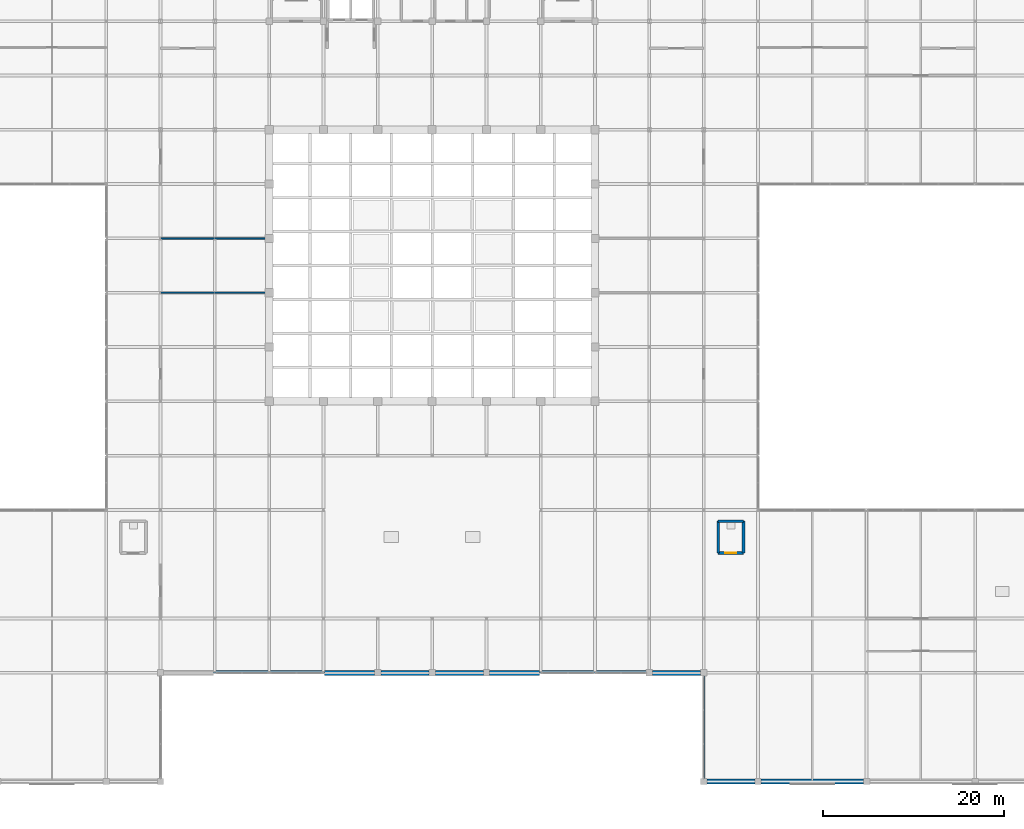
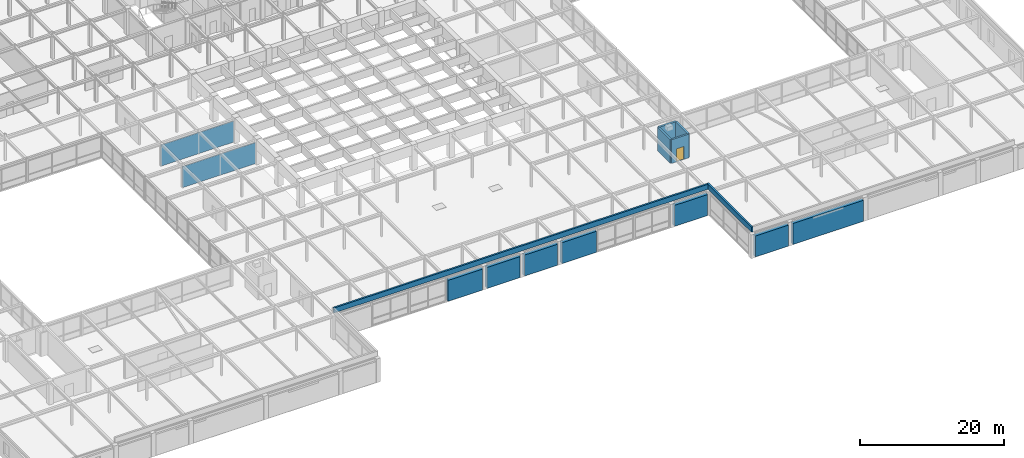
# One storey, part 102 of 111: 15 walls, 1 door, 1 opening.
"""IFC4 building model written with IfcOpenShell, lengths in metres."""

from ifc_helpers import new_model, si_unit, direction, frame, frame_2d, origin, place, context, subcontext, project, spatial, rectangle, extrude, material, layer, layer_set, type_object, element, fill, save


model = new_model("IFC4")

# Units and contexts
model_context = context("Model", 3, precision=1e-05, world=origin(), true_north=direction((0.0, 1.0)))
body_context = subcontext(model_context, "Body", "Model", "MODEL_VIEW")
ifc_project = project(units=[si_unit("LENGTHUNIT", "METRE"), si_unit("AREAUNIT", "SQUARE_METRE"), si_unit("VOLUMEUNIT", "CUBIC_METRE"), si_unit("PLANEANGLEUNIT", "RADIAN"), si_unit("MASSUNIT", "GRAM", prefix="KILO")], contexts=[model_context])

# Site, building, storey
site_placement = place(None, origin())
site = spatial("IfcSite", under=ifc_project, at=site_placement, CompositionType="ELEMENT")
building_placement = place(site_placement, origin())
building = spatial("IfcBuilding", under=site, at=building_placement, Name="Zlatovratsky Civic Hall", CompositionType="ELEMENT")
storey_placement = place(building_placement, frame((0.0, 0.0, 16.5)))
storey = spatial("IfcBuildingStorey", under=building, at=storey_placement, Name="L04", CompositionType="ELEMENT", Elevation=16.5)

# Walls
ifc_material_1 = material(Name="Fire-rated gypsum board framing", Category="gypsum")
ifc_layer_1 = layer(ifc_material_1, 0.139892578125)
ifc_layer_set_1 = layer_set([ifc_layer_1], Name="Fire-rated gypsum board framing")
wall_type_1 = type_object("IfcWallType", Name="Wall_OfficePartition_140", PredefinedType="PARTITIONING", material=ifc_layer_set_1)
for number, where, z_axis, x_axis, name in (
    (1, (54.0, 54.0, 0.0), (0.0, 0.0, 1.0), (1.0, 0.0, 0.0), "WL-6244"),
    (2, (54.0, 60.0, 0.0), (0.0, 0.0, 1.0), (1.0, 0.0, 0.0), "WL-6245"),
):
    element("IfcWall", number, at=place(storey_placement, frame(where, z_axis=z_axis, x_axis=x_axis)), inside=storey, type_object=wall_type_1, Name=name, PredefinedType="PARTITIONING", context=body_context, shape_type="SweptSolid", body=[
        extrude(rectangle(XDim=11.659912109375, YDim=0.139892578125, at=frame_2d((5.830078125, 0.0))), origin(), (0.0, 0.0, 1.0), 3.56005859375),
    ])
ifc_material_2 = material(Name="Acoustic ceramic blockwork", Category="masonry")
ifc_layer_2 = layer(ifc_material_2, 0.39990234375, Name="Backing")
ifc_material_3 = material(Name="Polished Karelian granite ashlar", Category="masonry")
ifc_layer_3 = layer(ifc_material_3, 0.139892578125, Name="Finish")
ifc_layer_set_2 = layer_set([ifc_layer_2, ifc_layer_3], Name="Acoustic ceramic blockwork")
wall_type_2 = type_object("IfcWallType", Name="Wall_PodiumGraniteArcade_540", PredefinedType="SOLIDWALL", material=ifc_layer_set_2)
wall_1_placement = place(storey_placement, frame((114.35009765625, 0.0, 0.0), z_axis=(0.0, 0.0, 1.0), x_axis=(1.0, 0.0, 0.0)))
element("IfcWall", 3, at=wall_1_placement, inside=storey, type_object=wall_type_2, Name="WL-0321", PredefinedType="SOLIDWALL", context=body_context, shape_type="SweptSolid", body=[
    extrude(rectangle(XDim=5.2998046875, YDim=0.5400390625, at=frame_2d((2.64990234375, 0.0))), origin(), (0.0, 0.0, 1.0), 3.550048828125),
])
wall_2_placement = place(storey_placement, frame((120.35009765625, 0.0, 0.0), z_axis=(0.0, 0.0, 1.0), x_axis=(1.0, 0.0, 0.0)))
element("IfcWall", 4, at=wall_2_placement, inside=storey, type_object=wall_type_2, Name="WL-0322", PredefinedType="SOLIDWALL", context=body_context, shape_type="SweptSolid", body=[
    extrude(rectangle(XDim=11.2998046875, YDim=0.5400390625, at=frame_2d((5.64990234375, 0.0))), origin(), (0.0, 0.0, 1.0), 3.550048828125),
])
wall_3_placement = place(storey_placement, frame((72.125, 12.0, 0.0), z_axis=(0.0, 0.0, 1.0), x_axis=(1.0, 0.0, 0.0)))
element("IfcWall", 5, at=wall_3_placement, inside=storey, type_object=wall_type_2, Name="WL-0328", PredefinedType="SOLIDWALL", context=body_context, shape_type="SweptSolid", body=[
    extrude(rectangle(XDim=5.52490234375, YDim=0.5400390625, at=frame_2d((2.762451171875, 0.0))), origin(), (0.0, 0.0, 1.0), 3.550048828125),
])
for number, where, z_axis, x_axis, name in (
    (6, (78.35009765625, 12.0, 0.0), (0.0, 0.0, 1.0), (1.0, 0.0, 0.0), "WL-0329"),
    (7, (84.35009765625, 12.0, 0.0), (0.0, 0.0, 1.0), (1.0, 0.0, 0.0), "WL-0330"),
):
    element("IfcWall", number, at=place(storey_placement, frame(where, z_axis=z_axis, x_axis=x_axis)), inside=storey, type_object=wall_type_2, Name=name, PredefinedType="SOLIDWALL", context=body_context, shape_type="SweptSolid", body=[
        extrude(rectangle(XDim=5.2998046875, YDim=0.5400390625, at=frame_2d((2.64990234375, 0.0))), origin(), (0.0, 0.0, 1.0), 3.550048828125),
    ])
wall_4_placement = place(storey_placement, frame((90.35009765625, 12.0, 0.0), z_axis=(0.0, 0.0, 1.0), x_axis=(1.0, 0.0, 0.0)))
element("IfcWall", 8, at=wall_4_placement, inside=storey, type_object=wall_type_2, Name="WL-0331", PredefinedType="SOLIDWALL", context=body_context, shape_type="SweptSolid", body=[
    extrude(rectangle(XDim=5.52490234375, YDim=0.5400390625, at=frame_2d((2.762451171875, 0.0))), origin(), (0.0, 0.0, 1.0), 3.550048828125),
])
wall_5_placement = place(storey_placement, frame((108.35009765625, 12.0, 0.0), z_axis=(0.0, 0.0, 1.0), x_axis=(1.0, 0.0, 0.0)))
element("IfcWall", 9, at=wall_5_placement, inside=storey, type_object=wall_type_2, Name="WL-0332", PredefinedType="SOLIDWALL", context=body_context, shape_type="SweptSolid", body=[
    extrude(rectangle(XDim=5.2998046875, YDim=0.5400390625, at=frame_2d((2.64990234375, 0.0))), origin(), (0.0, 0.0, 1.0), 3.550048828125),
])
ifc_material_4 = material(Name="Podolsk limestone ashlar", Category="masonry")
ifc_layer_4 = layer(ifc_material_4, 0.280029296875)
ifc_layer_set_3 = layer_set([ifc_layer_4], Name="Podolsk limestone ashlar")
wall_type_3 = type_object("IfcWallType", Name="Wall_RoofParapetStone_280", PredefinedType="PARAPET", material=ifc_layer_set_3)
wall_6_placement = place(storey_placement, frame((54.0, 12.139892578125, 4.199951171875), z_axis=(0.0, 0.0, 1.0), x_axis=(1.0, 0.0, 0.0)))
element("IfcWall", 10, at=wall_6_placement, inside=storey, type_object=wall_type_3, Name="WL-0705", PredefinedType="PARAPET", context=body_context, shape_type="SweptSolid", body=[
    extrude(rectangle(XDim=60.0, YDim=0.280029296875, at=frame_2d((30.0, 0.0))), origin(), (0.0, 0.0, 1.0), 0.85009765625),
])
wall_7_placement = place(storey_placement, frame((114.0, 0.0, 4.199951171875), z_axis=(0.0, 0.0, 1.0), x_axis=(0.0, 1.0, 0.0)))
element("IfcWall", 11, at=wall_7_placement, inside=storey, type_object=wall_type_3, Name="WL-0706", PredefinedType="PARAPET", context=body_context, shape_type="SweptSolid", body=[
    extrude(rectangle(XDim=12.280029296875, YDim=0.280029296875, at=frame_2d((6.14013671875, 0.0))), origin(), (0.0, 0.0, 1.0), 0.85009765625),
])

# Wall, opening, door
ifc_material_5 = material(Name="Concrete C35/45 (B40)", Category="concrete")
ifc_layer_5 = layer(ifc_material_5, 0.300048828125)
ifc_layer_set_4 = layer_set([ifc_layer_5], Name="Concrete C35/45 (B40)")
wall_type_4 = type_object("IfcWallType", Name="Wall_StairAndLiftShaft_300", PredefinedType="SHEAR", material=ifc_layer_set_4)
wall_8_placement = place(storey_placement, frame((115.60009765625, 25.25, 0.0), z_axis=(0.0, 0.0, 1.0), x_axis=(1.0, 0.0, 0.0)))
wall_8 = element("IfcWall", 12, at=wall_8_placement, inside=storey, type_object=wall_type_4, Name="WL-6005", PredefinedType="SHEAR", context=body_context, shape_type="SweptSolid", body=[
    extrude(rectangle(XDim=2.7998046875, YDim=0.300048828125, at=frame_2d((1.39990234375, 0.0))), origin(), (0.0, 0.0, 1.0), 4.0),
])
opening_placement = place(wall_8_placement, frame((0.800048828125, 0.0, 0.0)))
opening = element("IfcOpeningElement", 13, at=opening_placement, cuts=wall_8, Name="Opening LD-04", PredefinedType="OPENING", context=body_context, shape_type="SweptSolid", body=[
    extrude(rectangle(XDim=1.199951171875, YDim=2.199951171875, at=frame_2d((0.60009765625, 1.10009765625))), frame((0.0, 0.1650390625, 0.0), z_axis=(0.0, -1.0, 0.0), x_axis=(1.0, 0.0, 0.0)), (0.0, 0.0, 1.0), 0.329833984375),
])
ifc_material_6 = material(Name="Brushed stainless steel AISI 304", Category="steel")
door_type = type_object("IfcDoorType", Name="Door_LiftLandingShuttle_1200x2200", OperationType="DOUBLE_DOOR_SLIDING", PredefinedType="DOOR", material=ifc_material_6)
door_placement = place(opening_placement, origin())
door = element("IfcDoor", 14, at=door_placement, inside=storey, type_object=door_type, Name="Lift landing door LD-5204", OperationType="DOUBLE_DOOR_SLIDING", OverallHeight=2.199951171875, OverallWidth=1.199951171875, PredefinedType="DOOR", context=body_context, shape_type="SweptSolid", body=[
    extrude(rectangle(XDim=1.199951171875, YDim=2.199951171875, at=frame_2d((0.60009765625, 1.10009765625))), frame((0.0, 0.02490234375, 0.0), z_axis=(0.0, -1.0, 0.0), x_axis=(1.0, 0.0, 0.0)), (0.0, 0.0, 1.0), 0.050048828125),
])
fill(opening, door)

# Walls
wall_9_placement = place(storey_placement, frame((115.60009765625, 28.75, 0.0), z_axis=(0.0, 0.0, 1.0), x_axis=(1.0, 0.0, 0.0)))
element("IfcWall", 15, at=wall_9_placement, inside=storey, type_object=wall_type_4, Name="WL-6006", PredefinedType="SHEAR", context=body_context, shape_type="SweptSolid", body=[
    extrude(rectangle(XDim=2.7998046875, YDim=0.300048828125, at=frame_2d((1.39990234375, 0.0))), origin(), (0.0, 0.0, 1.0), 4.0),
])
for number, where, z_axis, x_axis, name in (
    (16, (115.60009765625, 25.25, 0.0), (0.0, 0.0, 1.0), (0.0, 1.0, 0.0), "WL-6007"),
    (17, (118.39990234375, 25.25, 0.0), (0.0, 0.0, 1.0), (0.0, 1.0, 0.0), "WL-6008"),
):
    element("IfcWall", number, at=place(storey_placement, frame(where, z_axis=z_axis, x_axis=x_axis)), inside=storey, type_object=wall_type_4, Name=name, PredefinedType="SHEAR", context=body_context, shape_type="SweptSolid", body=[
        extrude(rectangle(XDim=3.5, YDim=0.300048828125, at=frame_2d((1.75, 0.0))), origin(), (0.0, 0.0, 1.0), 4.0),
    ])

save(model, "model.ifc")
